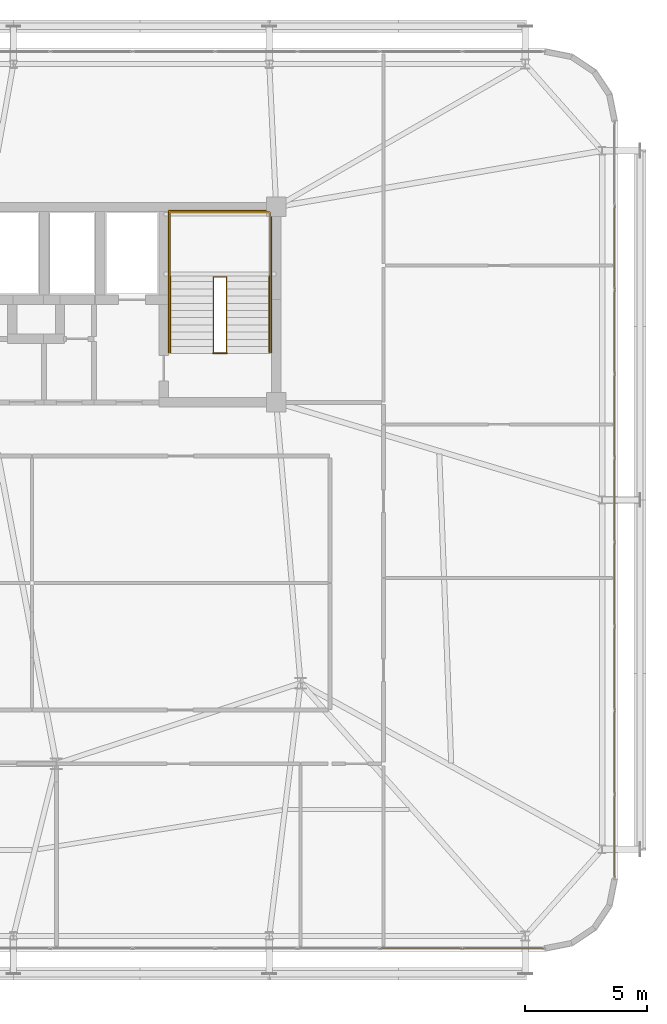
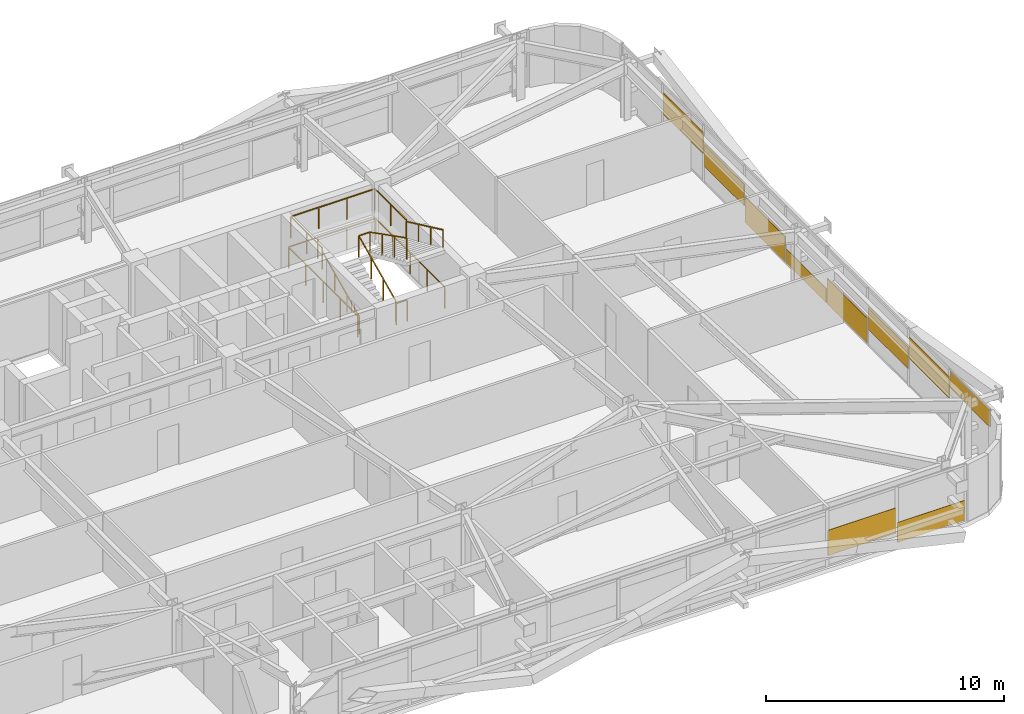
# One storey, part 58 of 59: 10 coverings, 6 railings.
"""IFC4 building model written with IfcOpenShell, lengths in metres."""

from ifc_helpers import new_model, si_unit, direction, frame, origin, origin_2d, place, context, subcontext, project, spatial, rectangle, extrude, source, transform, mapped, material, layer, layer_set, type_object, element, save


model = new_model("IFC4")

# Units and contexts
model_context = context("Model", 3, precision=1e-05, world=origin(), true_north=direction((0.0, 1.0)))
body_context = subcontext(model_context, "Body", "Model", "MODEL_VIEW")
ifc_project = project(units=[si_unit("LENGTHUNIT", "METRE"), si_unit("AREAUNIT", "SQUARE_METRE"), si_unit("VOLUMEUNIT", "CUBIC_METRE"), si_unit("PLANEANGLEUNIT", "RADIAN"), si_unit("MASSUNIT", "GRAM", prefix="KILO")], contexts=[model_context])

# Site, building, storey
site_placement = place(None, origin())
site = spatial("IfcSite", under=ifc_project, at=site_placement, CompositionType="ELEMENT")
building_placement = place(site_placement, origin())
building = spatial("IfcBuilding", under=site, at=building_placement, Name="Taldren Reach Tower", CompositionType="ELEMENT")
storey_placement = place(building_placement, frame((0.0, 0.0, 45.14990234375)))
storey = spatial("IfcBuildingStorey", under=building, at=storey_placement, Name="L13", CompositionType="ELEMENT", Elevation=45.14990234375)

# Railings
ifc_material_1 = material(Name="Steel Gr 350 (C350L0)", Category="steel")
ifc_layer_1 = layer(ifc_material_1, 0.050048828125)
ifc_layer_set_1 = layer_set([ifc_layer_1], Name="Steel Gr 350 (C350L0)")
railing_type_1 = type_object("IfcRailingType", Name="RL-STAIR-GR", PredefinedType="GUARDRAIL", material=ifc_layer_set_1)
railing_1_placement = place(storey_placement, frame((46.659912109375, 29.135009765625, 1.5751953125)))
element("IfcRailing", 1, at=railing_1_placement, inside=storey, type_object=railing_type_1, Name="Stair half-landing perimeter guard ST2-L13", PredefinedType="GUARDRAIL", context=body_context, shape_type="SweptSolid", body=[
    extrude(rectangle(XDim=0.047852, YDim=0.047852, at=origin_2d()), frame((0.0, 0.0, 1.09619140625), z_axis=(0.0, 1.0, 0.0), x_axis=(-1.0, 0.0, 0.0)), (0.0, 0.0, 1.0), 2.64501953125),
    extrude(rectangle(XDim=0.047852, YDim=0.047852, at=origin_2d()), frame((0.0, 2.64501953125, 1.09619140625), z_axis=(1.0, 0.0, 0.0), x_axis=(0.0, 1.0, 0.0)), (0.0, 0.0, 1.0), 4.080078125),
    extrude(rectangle(XDim=0.047852, YDim=0.047852, at=origin_2d()), frame((4.080078125, 2.64501953125, 1.09619140625), z_axis=(0.0, -1.0, 0.0), x_axis=(1.0, 0.0, 0.0)), (0.0, 0.0, 1.0), 2.64501953125),
    extrude(rectangle(XDim=0.041992, YDim=0.041992, at=origin_2d()), origin(), (0.0, 0.0, 1.0), 1.072021484375),
    extrude(rectangle(XDim=0.041992, YDim=0.041992, at=origin_2d()), frame((0.0, 1.322509765625, 0.0)), (0.0, 0.0, 1.0), 1.072021484375),
    extrude(rectangle(XDim=0.041992, YDim=0.041992, at=origin_2d()), frame((0.0, 2.64501953125, 0.0)), (0.0, 0.0, 1.0), 1.072021484375),
    extrude(rectangle(XDim=0.041992, YDim=0.041992, at=origin_2d()), frame((1.360107421875, 2.64501953125, 0.0)), (0.0, 0.0, 1.0), 1.072021484375),
    extrude(rectangle(XDim=0.041992, YDim=0.041992, at=origin_2d()), frame((2.719970703125, 2.64501953125, 0.0)), (0.0, 0.0, 1.0), 1.072021484375),
    extrude(rectangle(XDim=0.041992, YDim=0.041992, at=origin_2d()), frame((4.080078125, 2.64501953125, 0.0)), (0.0, 0.0, 1.0), 1.072021484375),
    extrude(rectangle(XDim=0.041992, YDim=0.041992, at=origin_2d()), frame((4.080078125, 1.322509765625, 0.0)), (0.0, 0.0, 1.0), 1.072021484375),
    extrude(rectangle(XDim=0.041992, YDim=0.041992, at=origin_2d()), frame((4.080078125, 0.0, 0.0)), (0.0, 0.0, 1.0), 1.072021484375),
])
railing_2_placement = place(storey_placement, frame((48.429931640625, 26.050048828125, 0.13134765625)))
element("IfcRailing", 2, at=railing_2_placement, inside=storey, type_object=railing_type_1, Name="Stairwell inner guard ST2-L13", PredefinedType="GUARDRAIL", context=body_context, shape_type="SweptSolid", body=[
    extrude(rectangle(XDim=0.047852, YDim=0.047852, at=origin_2d()), frame((0.0, 0.0, 1.09619140625), z_axis=(0.0, 0.905710134349, 0.423897573167), x_axis=(-1.0, 0.0, 0.0)), (0.0, 0.0, 1.0), 3.406005859375),
    extrude(rectangle(XDim=0.047852, YDim=0.047852, at=origin_2d()), frame((0.0, 3.0849609375, 2.5400390625), z_axis=(1.0, 0.0, 0.0), x_axis=(0.0, 1.0, 0.0)), (0.0, 0.0, 1.0), 0.5400390625),
    extrude(rectangle(XDim=0.047852, YDim=0.047852, at=origin_2d()), frame((0.5400390625, 3.0849609375, 2.5400390625), z_axis=(0.0, -0.890645957773, 0.45469745755), x_axis=(1.0, 0.0, 0.0)), (0.0, 0.0, 1.0), 3.463623046875),
    extrude(rectangle(XDim=0.041992, YDim=0.041992, at=origin_2d()), origin(), (0.0, 0.0, 1.0), 1.072021484375),
    extrude(rectangle(XDim=0.041992, YDim=0.041992, at=origin_2d()), frame((0.0, 1.0283203125, 0.481201171875)), (0.0, 0.0, 1.0), 1.072021484375),
    extrude(rectangle(XDim=0.041992, YDim=0.041992, at=origin_2d()), frame((0.0, 2.056640625, 0.962646484375)), (0.0, 0.0, 1.0), 1.072021484375),
    extrude(rectangle(XDim=0.041992, YDim=0.041992, at=origin_2d()), frame((0.0, 3.0849609375, 1.44384765625)), (0.0, 0.0, 1.0), 1.072021484375),
    extrude(rectangle(XDim=0.041992, YDim=0.041992, at=origin_2d()), frame((0.5400390625, 3.0849609375, 1.44384765625)), (0.0, 0.0, 1.0), 1.072021484375),
    extrude(rectangle(XDim=0.041992, YDim=0.041992, at=origin_2d()), frame((0.5400390625, 2.056640625, 1.96875)), (0.0, 0.0, 1.0), 1.072021484375),
    extrude(rectangle(XDim=0.041992, YDim=0.041992, at=origin_2d()), frame((0.5400390625, 1.0283203125, 2.493896484375)), (0.0, 0.0, 1.0), 1.072021484375),
    extrude(rectangle(XDim=0.041992, YDim=0.041992, at=origin_2d()), frame((0.5400390625, 0.0, 3.018798828125)), (0.0, 0.0, 1.0), 1.072021484375),
])
railing_3_placement = place(storey_placement, frame((48.429931640625, 26.010009765625, 0.0)))
element("IfcRailing", 3, at=railing_3_placement, inside=storey, type_object=railing_type_1, Name="Stairwell landing slot guard ST2-L13", PredefinedType="GUARDRAIL", context=body_context, shape_type="SweptSolid", body=[
    extrude(rectangle(XDim=0.047852, YDim=0.047852, at=origin_2d()), frame((0.0, 0.0, 1.09619140625), z_axis=(1.0, 0.0, 0.0), x_axis=(0.0, 1.0, 0.0)), (0.0, 0.0, 1.0), 0.5400390625),
    extrude(rectangle(XDim=0.041992, YDim=0.041992, at=origin_2d()), origin(), (0.0, 0.0, 1.0), 1.072021484375),
    extrude(rectangle(XDim=0.041992, YDim=0.041992, at=origin_2d()), frame((0.5400390625, 0.0, 0.0)), (0.0, 0.0, 1.0), 1.072021484375),
])
railing_4_placement = place(storey_placement, frame((46.590087890625, 26.050048828125, 0.0)))
element("IfcRailing", 4, at=railing_4_placement, inside=storey, type_object=railing_type_1, Name="Stairwell floor opening guard ST2-L13", PredefinedType="GUARDRAIL", context=body_context, shape_type="SweptSolid", body=[
    extrude(rectangle(XDim=0.047852, YDim=0.047852, at=origin_2d()), frame((0.0, 0.0, 1.09619140625), z_axis=(0.0, 1.0, 0.0), x_axis=(-1.0, 0.0, 0.0)), (0.0, 0.0, 1.0), 5.800048828125),
    extrude(rectangle(XDim=0.047852, YDim=0.047852, at=origin_2d()), frame((0.0, 5.800048828125, 1.09619140625), z_axis=(1.0, 0.0, 0.0), x_axis=(0.0, 1.0, 0.0)), (0.0, 0.0, 1.0), 4.219970703125),
    extrude(rectangle(XDim=0.047852, YDim=0.047852, at=origin_2d()), frame((4.219970703125, 5.800048828125, 1.09619140625), z_axis=(0.0, -1.0, 0.0), x_axis=(1.0, 0.0, 0.0)), (0.0, 0.0, 1.0), 5.800048828125),
    extrude(rectangle(XDim=0.041992, YDim=0.041992, at=origin_2d()), origin(), (0.0, 0.0, 1.0), 1.072021484375),
    extrude(rectangle(XDim=0.041992, YDim=0.041992, at=origin_2d()), frame((0.0, 1.449951171875, 0.0)), (0.0, 0.0, 1.0), 1.072021484375),
    extrude(rectangle(XDim=0.041992, YDim=0.041992, at=origin_2d()), frame((0.0, 2.89990234375, 0.0)), (0.0, 0.0, 1.0), 1.072021484375),
    extrude(rectangle(XDim=0.041992, YDim=0.041992, at=origin_2d()), frame((0.0, 4.35009765625, 0.0)), (0.0, 0.0, 1.0), 1.072021484375),
    extrude(rectangle(XDim=0.041992, YDim=0.041992, at=origin_2d()), frame((0.0, 5.800048828125, 0.0)), (0.0, 0.0, 1.0), 1.072021484375),
    extrude(rectangle(XDim=0.041992, YDim=0.041992, at=origin_2d()), frame((1.40673828125, 5.800048828125, 0.0)), (0.0, 0.0, 1.0), 1.072021484375),
    extrude(rectangle(XDim=0.041992, YDim=0.041992, at=origin_2d()), frame((2.813232421875, 5.800048828125, 0.0)), (0.0, 0.0, 1.0), 1.072021484375),
    extrude(rectangle(XDim=0.041992, YDim=0.041992, at=origin_2d()), frame((4.219970703125, 5.800048828125, 0.0)), (0.0, 0.0, 1.0), 1.072021484375),
    extrude(rectangle(XDim=0.041992, YDim=0.041992, at=origin_2d()), frame((4.219970703125, 4.35009765625, 0.0)), (0.0, 0.0, 1.0), 1.072021484375),
    extrude(rectangle(XDim=0.041992, YDim=0.041992, at=origin_2d()), frame((4.219970703125, 2.89990234375, 0.0)), (0.0, 0.0, 1.0), 1.072021484375),
    extrude(rectangle(XDim=0.041992, YDim=0.041992, at=origin_2d()), frame((4.219970703125, 1.449951171875, 0.0)), (0.0, 0.0, 1.0), 1.072021484375),
    extrude(rectangle(XDim=0.041992, YDim=0.041992, at=origin_2d()), frame((4.219970703125, 0.0, 0.0)), (0.0, 0.0, 1.0), 1.072021484375),
])
ifc_material_2 = material(Name="Stainless Steel Gr 316", Category="steel")
ifc_layer_2 = layer(ifc_material_2, 0.048095703125)
ifc_layer_set_2 = layer_set([ifc_layer_2], Name="Stainless Steel Gr 316")
railing_type_2 = type_object("IfcRailingType", Name="RL-STAIR-HR", PredefinedType="HANDRAIL", material=ifc_layer_set_2)
railing_5_placement = place(storey_placement, frame((46.669921875, 26.050048828125, 0.13134765625)))
element("IfcRailing", 5, at=railing_5_placement, inside=storey, type_object=railing_type_2, Name="Stair flight handrail ST2-L13-1", PredefinedType="HANDRAIL", context=body_context, shape_type="SweptSolid", body=[
    extrude(rectangle(XDim=0.047852, YDim=0.047852, at=origin_2d()), frame((0.0, 0.0, 0.89599609375), z_axis=(0.0, 0.905710134349, 0.423897573167), x_axis=(-1.0, 0.0, 0.0)), (0.0, 0.0, 1.0), 3.406005859375),
    extrude(rectangle(XDim=0.041992, YDim=0.041992, at=origin_2d()), origin(), (0.0, 0.0, 1.0), 0.871826171875),
    extrude(rectangle(XDim=0.041992, YDim=0.041992, at=origin_2d()), frame((0.0, 1.0283203125, 0.481201171875)), (0.0, 0.0, 1.0), 0.871826171875),
    extrude(rectangle(XDim=0.041992, YDim=0.041992, at=origin_2d()), frame((0.0, 2.056640625, 0.962646484375)), (0.0, 0.0, 1.0), 0.871826171875),
    extrude(rectangle(XDim=0.041992, YDim=0.041992, at=origin_2d()), frame((0.0, 3.0849609375, 1.44384765625)), (0.0, 0.0, 1.0), 0.871826171875),
])
railing_6_placement = place(storey_placement, frame((50.72998046875, 29.135009765625, 1.706298828125)))
element("IfcRailing", 6, at=railing_6_placement, inside=storey, type_object=railing_type_2, Name="Stair flight handrail ST2-L13-2", PredefinedType="HANDRAIL", context=body_context, shape_type="SweptSolid", body=[
    extrude(rectangle(XDim=0.047852, YDim=0.047852, at=origin_2d()), frame((0.0, 0.0, 0.89599609375), z_axis=(0.0, -0.905710134349, 0.423897573167), x_axis=(1.0, 0.0, 0.0)), (0.0, 0.0, 1.0), 3.406005859375),
    extrude(rectangle(XDim=0.041992, YDim=0.041992, at=origin_2d()), origin(), (0.0, 0.0, 1.0), 0.871826171875),
    extrude(rectangle(XDim=0.041992, YDim=0.041992, at=origin_2d()), frame((0.0, -1.0283203125, 0.481201171875)), (0.0, 0.0, 1.0), 0.871826171875),
    extrude(rectangle(XDim=0.041992, YDim=0.041992, at=origin_2d()), frame((0.0, -2.056640625, 0.962646484375)), (0.0, 0.0, 1.0), 0.871826171875),
    extrude(rectangle(XDim=0.041992, YDim=0.041992, at=origin_2d()), frame((0.0, -3.0849609375, 1.44384765625)), (0.0, 0.0, 1.0), 0.871826171875),
])

# Coverings
ifc_material_3 = material(Name="Pale Champagne Fluoropolymer Aluminium Spandrel Cladding", Category="aluminium")
ifc_layer_3 = layer(ifc_material_3, 0.0439453125)
ifc_layer_set_3 = layer_set([ifc_layer_3], Name="Pale Champagne Fluoropolymer Aluminium Spandrel Cladding")
covering_type = type_object("IfcCoveringType", Name="CV-CLAD-044", PredefinedType="CLADDING", material=ifc_layer_set_3)
shared_shape_1 = source(origin(), body_context, "Body", "SweptSolid", [
    extrude(rectangle(XDim=3.31005859375, YDim=0.0439453125, at=origin_2d()), origin(), (0.0, 0.0, 1.0), 1.301025390625),
])
covering_1_placement = place(storey_placement, frame((56.9375, 1.639892578125, 0.55810546875), z_axis=(0.0, 0.0, 1.0), x_axis=(1.0, 0.0, 0.0)))
element("IfcCovering", 7, at=covering_1_placement, inside=storey, type_object=covering_type, Name="Diagrid closure cladding strip CW-2 panel 15.1 1", PredefinedType="CLADDING", context=body_context, shape_type="MappedRepresentation", body=[
    mapped(shared_shape_1, transform((0.0, 0.0, 0.0), scale=1.0)),
])
shared_shape_2 = source(origin(), body_context, "Body", "SweptSolid", [
    extrude(rectangle(XDim=3.277587890625, YDim=0.0439453125, at=origin_2d()), origin(), (0.0, 0.0, 1.0), 1.021240234375),
])
covering_2_placement = place(storey_placement, frame((60.296142578125, 1.639892578125, 0.05517578125), z_axis=(0.0, 0.0, 1.0), x_axis=(1.0, 0.0, 0.0)))
element("IfcCovering", 8, at=covering_2_placement, inside=storey, type_object=covering_type, Name="Diagrid closure cladding strip CW-2 panel 16.1 1", PredefinedType="CLADDING", context=body_context, shape_type="MappedRepresentation", body=[
    mapped(shared_shape_2, transform((0.0, 0.0, 0.0), scale=1.0)),
])
shared_shape_3 = source(origin(), body_context, "Body", "SweptSolid", [
    extrude(rectangle(XDim=3.346923828125, YDim=0.0439453125, at=origin_2d()), origin(), (0.0, 0.0, 1.0), 0.864501953125),
])
covering_3_placement = place(storey_placement, frame((64.860107421875, 6.238525390625, 2.0107421875), z_axis=(0.0, 0.0, 1.0), x_axis=(0.0, 1.0, 0.0)))
element("IfcCovering", 9, at=covering_3_placement, inside=storey, type_object=covering_type, Name="Diagrid closure cladding strip CW-2 panel 1.1 1", PredefinedType="CLADDING", context=body_context, shape_type="MappedRepresentation", body=[
    mapped(shared_shape_3, transform((0.0, 0.0, 0.0), scale=1.0)),
])
shared_shape_4 = source(origin(), body_context, "Body", "SweptSolid", [
    extrude(rectangle(XDim=3.37939453125, YDim=0.0439453125, at=origin_2d()), origin(), (0.0, 0.0, 1.0), 1.1015625),
])
for number, where, z_axis, x_axis, name in (
    (10, (64.860107421875, 9.666748046875, 1.42529296875), (0.0, 0.0, 1.0), (0.0, 1.0, 0.0), "Diagrid closure cladding strip CW-2 panel 2.1 1"),
    (11, (64.860107421875, 13.111083984375, 0.83984375), (0.0, 0.0, 1.0), (0.0, 1.0, 0.0), "Diagrid closure cladding strip CW-2 panel 3.1 1"),
    (12, (64.860107421875, 26.888916015625, 0.83984375), (0.0, 0.0, 1.0), (0.0, 1.0, 0.0), "Diagrid closure cladding strip CW-2 panel 7.1 1"),
    (13, (64.860107421875, 30.333251953125, 1.42529296875), (0.0, 0.0, 1.0), (0.0, 1.0, 0.0), "Diagrid closure cladding strip CW-2 panel 8.1 1"),
):
    element("IfcCovering", number, at=place(storey_placement, frame(where, z_axis=z_axis, x_axis=x_axis)), inside=storey, type_object=covering_type, Name=name, PredefinedType="CLADDING", context=body_context, shape_type="MappedRepresentation", body=[
        mapped(shared_shape_4, transform((0.0, 0.0, 0.0), scale=1.0)),
    ])
shared_shape_5 = source(origin(), body_context, "Body", "SweptSolid", [
    extrude(rectangle(XDim=3.37939453125, YDim=0.0439453125, at=origin_2d()), origin(), (0.0, 0.0, 1.0), 1.301025390625),
])
for number, where, z_axis, x_axis, name in (
    (14, (64.860107421875, 16.5556640625, 0.05517578125), (0.0, 0.0, 1.0), (0.0, 1.0, 0.0), "Diagrid closure cladding strip CW-2 panel 4.1 1"),
    (15, (64.860107421875, 23.4443359375, 0.05517578125), (0.0, 0.0, 1.0), (0.0, 1.0, 0.0), "Diagrid closure cladding strip CW-2 panel 6.1 1"),
):
    element("IfcCovering", number, at=place(storey_placement, frame(where, z_axis=z_axis, x_axis=x_axis)), inside=storey, type_object=covering_type, Name=name, PredefinedType="CLADDING", context=body_context, shape_type="MappedRepresentation", body=[
        mapped(shared_shape_5, transform((0.0, 0.0, 0.0), scale=1.0)),
    ])
shared_shape_6 = source(origin(), body_context, "Body", "SweptSolid", [
    extrude(rectangle(XDim=3.37939453125, YDim=0.0439453125, at=origin_2d()), origin(), (0.0, 0.0, 1.0), 0.7158203125),
])
covering_4_placement = place(storey_placement, frame((64.860107421875, 20.0, 0.05517578125), z_axis=(0.0, 0.0, 1.0), x_axis=(0.0, 1.0, 0.0)))
element("IfcCovering", 16, at=covering_4_placement, inside=storey, type_object=covering_type, Name="Diagrid closure cladding strip CW-2 panel 5.1 1", PredefinedType="CLADDING", context=body_context, shape_type="MappedRepresentation", body=[
    mapped(shared_shape_6, transform((0.0, 0.0, 0.0), scale=1.0)),
])

save(model, "model.ifc")
